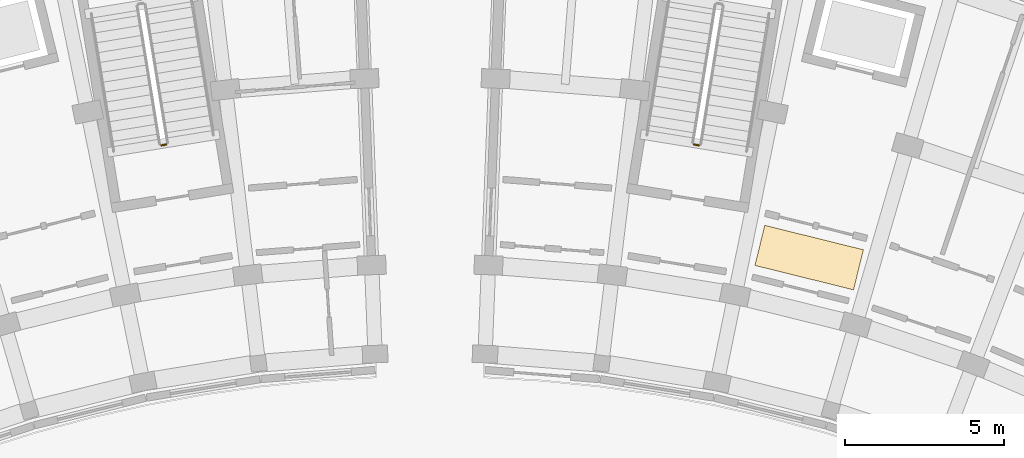
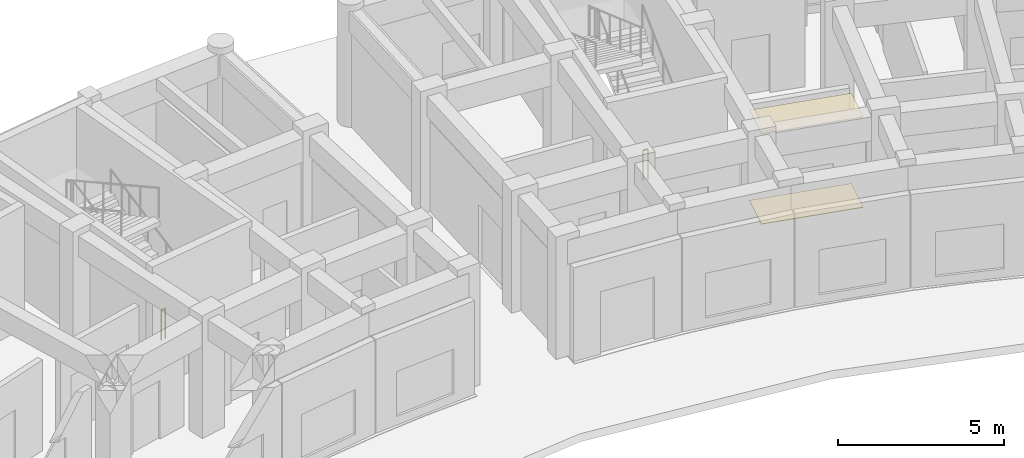
# One storey, part 53 of 61: 2 coverings, 2 railings.
"""IFC4 building model written with IfcOpenShell, lengths in metres."""

from ifc_helpers import new_model, si_unit, direction, frame, origin, origin_2d, place, context, subcontext, project, spatial, rectangle, circle, extrude, material, layer, layer_set, type_object, element, save


model = new_model("IFC4")

# Units and contexts
model_context = context("Model", 3, precision=1e-05, world=origin(), true_north=direction((0.0, 1.0)))
body_context = subcontext(model_context, "Body", "Model", "MODEL_VIEW")
ifc_project = project(units=[si_unit("LENGTHUNIT", "METRE"), si_unit("AREAUNIT", "SQUARE_METRE"), si_unit("VOLUMEUNIT", "CUBIC_METRE"), si_unit("PLANEANGLEUNIT", "RADIAN"), si_unit("MASSUNIT", "GRAM", prefix="KILO")], contexts=[model_context])

# Site, building, storey
site_placement = place(None, origin())
site = spatial("IfcSite", under=ifc_project, at=site_placement, CompositionType="ELEMENT")
building_placement = place(site_placement, origin())
building = spatial("IfcBuilding", under=site, at=building_placement, Name="Zimvara Arc Housing Community", CompositionType="ELEMENT")
storey_placement = place(building_placement, origin())
storey = spatial("IfcBuildingStorey", under=building, at=storey_placement, Name="L00", CompositionType="ELEMENT", Elevation=0.0)

# Coverings
ifc_material_1 = material(Name="Perforated Acoustic Ceiling Board")
ifc_layer_1 = layer(ifc_material_1, 0.01806640625)
ifc_layer_set_1 = layer_set([ifc_layer_1], Name="Perforated Acoustic Ceiling Board")
covering_type_1 = type_object("IfcCoveringType", Name="COV-CEIL-01", PredefinedType="CEILING", material=ifc_layer_set_1)
covering_1_placement = place(storey_placement, frame((56.938232421875, 92.625, 3.322021484375), z_axis=(0.0, 0.0, 1.0), x_axis=(0.240228042477, 0.970716481578, 0.0)))
element("IfcCovering", 1, at=covering_1_placement, inside=storey, type_object=covering_type_1, Name="ceil:blkB:L00", PredefinedType="CEILING", context=body_context, shape_type="SweptSolid", body=[
    extrude(rectangle(XDim=1.300048828125, YDim=3.199951171875, at=origin_2d()), origin(), (0.0, 0.0, 1.0), 0.01806640625),
])
ifc_material_2 = material(Name="Polished Coastal Sand Terrazzo")
ifc_layer_2 = layer(ifc_material_2, 0.02001953125)
ifc_layer_set_2 = layer_set([ifc_layer_2], Name="Polished Coastal Sand Terrazzo")
covering_type_2 = type_object("IfcCoveringType", Name="COV-FLOR-01", PredefinedType="FLOORING", material=ifc_layer_set_2)
covering_2_placement = place(storey_placement, frame((56.938232421875, 92.625, 0.0), z_axis=(0.0, 0.0, 1.0), x_axis=(0.240228042477, 0.970716481578, 0.0)))
element("IfcCovering", 2, at=covering_2_placement, inside=storey, type_object=covering_type_2, Name="flor:blkB:L00", PredefinedType="FLOORING", context=body_context, shape_type="SweptSolid", body=[
    extrude(rectangle(XDim=1.300048828125, YDim=3.199951171875, at=origin_2d()), origin(), (0.0, 0.0, 1.0), 0.02001953125),
])

# Railings
ifc_material_3 = material(Name="Anodised Aluminium AW-6063", Category="aluminium")
railing_type = type_object("IfcRailingType", Name="RLG-BAL-1120", PredefinedType="BALUSTRADE", material=ifc_material_3)
railing_1_placement = place(storey_placement, frame((36.691162109375, 96.1865234375, 0.0)))
element("IfcRailing", 3, at=railing_1_placement, inside=storey, type_object=railing_type, Name="L00 ST-A2 stair guard 4", PredefinedType="BALUSTRADE", context=body_context, shape_type="SweptSolid", body=[
    extrude(circle(Radius=0.02392578125, at=origin_2d()), frame((0.0, 0.0, 1.09619140625), z_axis=(-0.987085924886, -0.160191687964, 0.0), x_axis=(0.160191687964, -0.987085924886, 0.0)), (0.0, 0.0, 1.0), 0.159912109375),
    extrude(circle(Radius=0.02099609375, at=origin_2d()), origin(), (0.0, 0.0, 1.0), 1.072021484375),
    extrude(circle(Radius=0.02099609375, at=origin_2d()), frame((-0.157958984375, -0.025634765625, 0.0)), (0.0, 0.0, 1.0), 1.072021484375),
])
railing_2_placement = place(storey_placement, frame((53.466796875, 96.160888671875, 0.0)))
element("IfcRailing", 4, at=railing_2_placement, inside=storey, type_object=railing_type, Name="L00 ST-B1 stair guard 4", PredefinedType="BALUSTRADE", context=body_context, shape_type="SweptSolid", body=[
    extrude(circle(Radius=0.02392578125, at=origin_2d()), frame((0.0, 0.0, 1.09619140625), z_axis=(-0.987085924886, 0.160191687964, 0.0), x_axis=(-0.160191687964, -0.987085924886, 0.0)), (0.0, 0.0, 1.0), 0.159912109375),
    extrude(circle(Radius=0.02099609375, at=origin_2d()), origin(), (0.0, 0.0, 1.0), 1.072021484375),
    extrude(circle(Radius=0.02099609375, at=origin_2d()), frame((-0.157958984375, 0.025634765625, 0.0)), (0.0, 0.0, 1.0), 1.072021484375),
])

save(model, "model.ifc")
